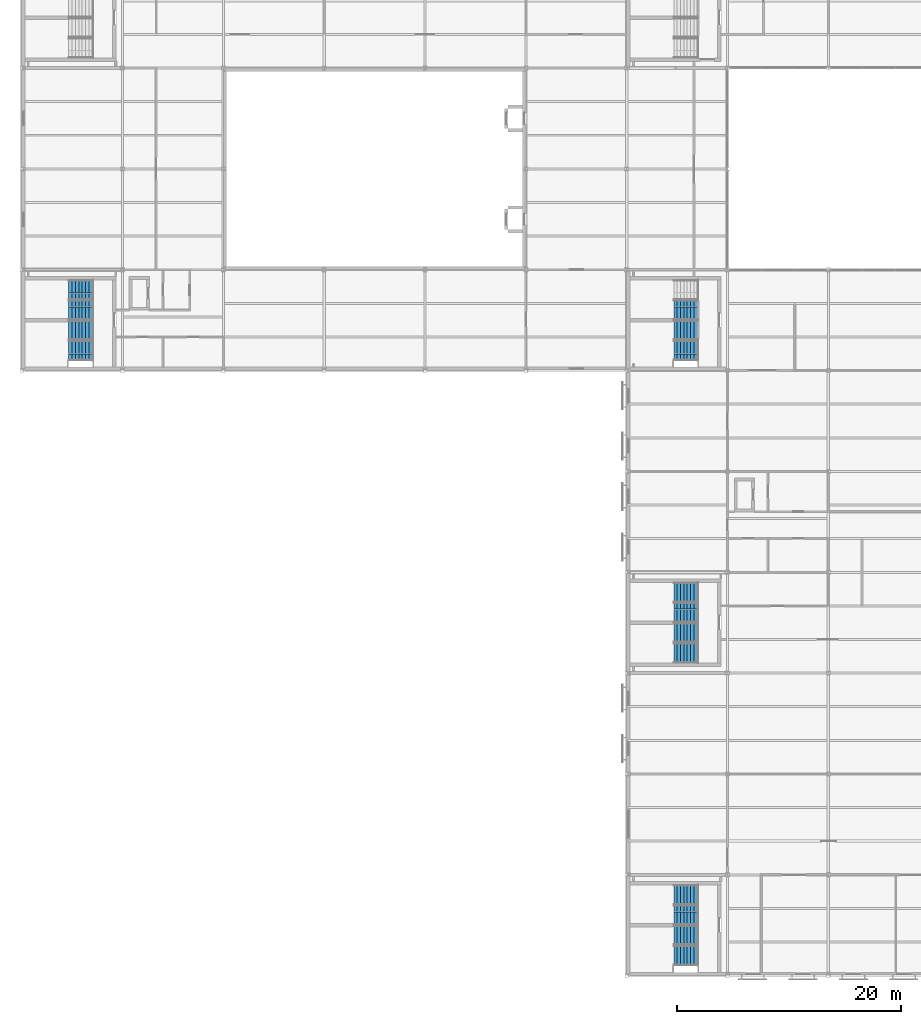
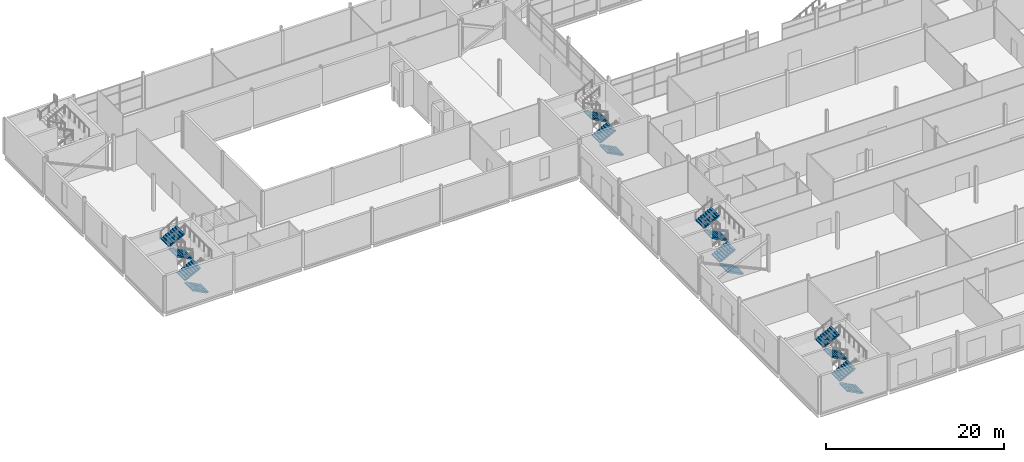
# One storey, part 90 of 112: 15 stair flights, 4 elements without a shape of their own.
"""IFC4 building model written with IfcOpenShell, lengths in metres."""

from ifc_helpers import new_model, si_unit, direction, frame, origin, place, context, subcontext, project, spatial, polyline, outline, extrude, material, type_object, element, aggregate, save


model = new_model("IFC4")

# Units and contexts
model_context = context("Model", 3, precision=1e-05, world=origin(), true_north=direction((0.0, 1.0)))
body_context = subcontext(model_context, "Body", "Model", "MODEL_VIEW")
ifc_project = project(units=[si_unit("LENGTHUNIT", "METRE"), si_unit("AREAUNIT", "SQUARE_METRE"), si_unit("VOLUMEUNIT", "CUBIC_METRE"), si_unit("PLANEANGLEUNIT", "RADIAN"), si_unit("MASSUNIT", "GRAM", prefix="KILO")], contexts=[model_context])

# Site, building, storey
site_placement = place(None, origin())
site = spatial("IfcSite", under=ifc_project, at=site_placement, CompositionType="ELEMENT")
building_placement = place(site_placement, origin())
building = spatial("IfcBuilding", under=site, at=building_placement, Name="Shorebreak Coast Museum", CompositionType="ELEMENT")
storey_placement = place(building_placement, frame((0.0, 0.0, 6.0)))
storey = spatial("IfcBuildingStorey", under=building, at=storey_placement, Name="L01", CompositionType="ELEMENT", Elevation=6.0)

# Stair, stair flights
ifc_material_1 = material(Name="Concrete N40 (40 MPa)", Category="concrete")
stair_type = type_object("IfcStairType", Name="Stair run 5 m", PredefinedType="DOUBLE_RETURN_STAIR", material=ifc_material_1)
stair_1_placement = place(storey_placement, origin())
stair_1 = element("IfcStair", 1, at=stair_1_placement, inside=storey, type_object=stair_type, Name="Exit stair ST01-L01", PredefinedType="DOUBLE_RETURN_STAIR")
ifc_material_2 = material(Name="Concrete N40 (40 MPa)", Category="concrete")
stair_flight_type = type_object("IfcStairFlightType", Name="Stair flight 8 risers 156.25", PredefinedType="STRAIGHT", material=ifc_material_2)
stair_flight_1_placement = place(storey_placement, frame((60.300048828125, 55.800048828125, 0.0), z_axis=(0.0, 0.0, 1.0), x_axis=(-1.0, 0.0, 0.0)))
stair_flight_1 = element("IfcStairFlight", 2, at=stair_flight_1_placement, type_object=stair_flight_type, Name="ST01-L01 flight 1", NumberOfRisers=8, NumberOfTreads=7, PredefinedType="STRAIGHT", RiserHeight=0.15625, TreadLength=0.3, context=body_context, shape_type="SweptSolid", body=[
    extrude(outline(polyline([(0.0, 0.0), (0.0, 0.15625), (0.300048828125, 0.15625), (0.300048828125, 0.3125), (0.60009765625, 0.3125), (0.60009765625, 0.46875), (0.89990234375, 0.46875), (0.89990234375, 0.625), (1.199951171875, 0.625), (1.199951171875, 0.78125), (1.5, 0.78125), (1.5, 0.9375), (1.800048828125, 0.9375), (1.800048828125, 1.09375), (2.10009765625, 1.09375), (2.10009765625, 1.25), (2.10009765625, 0.9248046875), (0.324462890625, 0.0), (0.0, 0.0)])), frame((0.0, 0.89990234375, 0.0), z_axis=(0.0, -1.0, 0.0), x_axis=(1.0, 0.0, 0.0)), (0.0, 0.0, 1.0), 0.59326171875),
    extrude(outline(polyline([(0.0, 0.0), (0.0, 0.15625), (0.300048828125, 0.15625), (0.300048828125, 0.3125), (0.60009765625, 0.3125), (0.60009765625, 0.46875), (0.89990234375, 0.46875), (0.89990234375, 0.625), (1.199951171875, 0.625), (1.199951171875, 0.78125), (1.5, 0.78125), (1.5, 0.9375), (1.800048828125, 0.9375), (1.800048828125, 1.09375), (2.10009765625, 1.09375), (2.10009765625, 1.25), (2.10009765625, 0.9248046875), (0.324462890625, 0.0), (0.0, 0.0)])), frame((0.0, 0.296630859375, 0.0), z_axis=(0.0, -1.0, 0.0), x_axis=(1.0, 0.0, 0.0)), (0.0, 0.0, 1.0), 0.59326171875),
    extrude(outline(polyline([(0.0, 0.0), (0.0, 0.15625), (0.300048828125, 0.15625), (0.300048828125, 0.3125), (0.60009765625, 0.3125), (0.60009765625, 0.46875), (0.89990234375, 0.46875), (0.89990234375, 0.625), (1.199951171875, 0.625), (1.199951171875, 0.78125), (1.5, 0.78125), (1.5, 0.9375), (1.800048828125, 0.9375), (1.800048828125, 1.09375), (2.10009765625, 1.09375), (2.10009765625, 1.25), (2.10009765625, 0.9248046875), (0.324462890625, 0.0), (0.0, 0.0)])), frame((0.0, -0.306640625, 0.0), z_axis=(0.0, -1.0, 0.0), x_axis=(1.0, 0.0, 0.0)), (0.0, 0.0, 1.0), 0.59326171875),
])
stair_flight_2_placement = place(storey_placement, frame((58.199951171875, 57.60009765625, 1.25), z_axis=(0.0, 0.0, 1.0), x_axis=(1.0, 0.0, 0.0)))
stair_flight_2 = element("IfcStairFlight", 3, at=stair_flight_2_placement, type_object=stair_flight_type, Name="ST01-L01 flight 2", NumberOfRisers=8, NumberOfTreads=7, PredefinedType="STRAIGHT", RiserHeight=0.15625, TreadLength=0.3, context=body_context, shape_type="SweptSolid", body=[
    extrude(outline(polyline([(0.0, 0.0), (0.0, 0.15625), (0.300048828125, 0.15625), (0.300048828125, 0.3125), (0.60009765625, 0.3125), (0.60009765625, 0.46875), (0.89990234375, 0.46875), (0.89990234375, 0.625), (1.199951171875, 0.625), (1.199951171875, 0.78125), (1.5, 0.78125), (1.5, 0.9375), (1.800048828125, 0.9375), (1.800048828125, 1.09375), (2.10009765625, 1.09375), (2.10009765625, 1.25), (2.10009765625, 0.9248046875), (0.324462890625, 0.0), (0.0, 0.0)])), frame((0.0, 0.89990234375, 0.0), z_axis=(0.0, -1.0, 0.0), x_axis=(1.0, 0.0, 0.0)), (0.0, 0.0, 1.0), 0.59326171875),
    extrude(outline(polyline([(0.0, 0.0), (0.0, 0.15625), (0.300048828125, 0.15625), (0.300048828125, 0.3125), (0.60009765625, 0.3125), (0.60009765625, 0.46875), (0.89990234375, 0.46875), (0.89990234375, 0.625), (1.199951171875, 0.625), (1.199951171875, 0.78125), (1.5, 0.78125), (1.5, 0.9375), (1.800048828125, 0.9375), (1.800048828125, 1.09375), (2.10009765625, 1.09375), (2.10009765625, 1.25), (2.10009765625, 0.9248046875), (0.324462890625, 0.0), (0.0, 0.0)])), frame((0.0, 0.296630859375, 0.0), z_axis=(0.0, -1.0, 0.0), x_axis=(1.0, 0.0, 0.0)), (0.0, 0.0, 1.0), 0.59326171875),
    extrude(outline(polyline([(0.0, 0.0), (0.0, 0.15625), (0.300048828125, 0.15625), (0.300048828125, 0.3125), (0.60009765625, 0.3125), (0.60009765625, 0.46875), (0.89990234375, 0.46875), (0.89990234375, 0.625), (1.199951171875, 0.625), (1.199951171875, 0.78125), (1.5, 0.78125), (1.5, 0.9375), (1.800048828125, 0.9375), (1.800048828125, 1.09375), (2.10009765625, 1.09375), (2.10009765625, 1.25), (2.10009765625, 0.9248046875), (0.324462890625, 0.0), (0.0, 0.0)])), frame((0.0, -0.306640625, 0.0), z_axis=(0.0, -1.0, 0.0), x_axis=(1.0, 0.0, 0.0)), (0.0, 0.0, 1.0), 0.59326171875),
])
stair_flight_3_placement = place(storey_placement, frame((60.300048828125, 59.39990234375, 2.5), z_axis=(0.0, 0.0, 1.0), x_axis=(-1.0, 0.0, 0.0)))
stair_flight_3 = element("IfcStairFlight", 4, at=stair_flight_3_placement, type_object=stair_flight_type, Name="ST01-L01 flight 3", NumberOfRisers=8, NumberOfTreads=7, PredefinedType="STRAIGHT", RiserHeight=0.15625, TreadLength=0.3, context=body_context, shape_type="SweptSolid", body=[
    extrude(outline(polyline([(0.0, 0.0), (0.0, 0.15625), (0.300048828125, 0.15625), (0.300048828125, 0.3125), (0.60009765625, 0.3125), (0.60009765625, 0.46875), (0.89990234375, 0.46875), (0.89990234375, 0.625), (1.199951171875, 0.625), (1.199951171875, 0.78125), (1.5, 0.78125), (1.5, 0.9375), (1.800048828125, 0.9375), (1.800048828125, 1.09375), (2.10009765625, 1.09375), (2.10009765625, 1.25), (2.10009765625, 0.9248046875), (0.324462890625, 0.0), (0.0, 0.0)])), frame((0.0, 0.89990234375, 0.0), z_axis=(0.0, -1.0, 0.0), x_axis=(1.0, 0.0, 0.0)), (0.0, 0.0, 1.0), 0.59326171875),
    extrude(outline(polyline([(0.0, 0.0), (0.0, 0.15625), (0.300048828125, 0.15625), (0.300048828125, 0.3125), (0.60009765625, 0.3125), (0.60009765625, 0.46875), (0.89990234375, 0.46875), (0.89990234375, 0.625), (1.199951171875, 0.625), (1.199951171875, 0.78125), (1.5, 0.78125), (1.5, 0.9375), (1.800048828125, 0.9375), (1.800048828125, 1.09375), (2.10009765625, 1.09375), (2.10009765625, 1.25), (2.10009765625, 0.9248046875), (0.324462890625, 0.0), (0.0, 0.0)])), frame((0.0, 0.296630859375, 0.0), z_axis=(0.0, -1.0, 0.0), x_axis=(1.0, 0.0, 0.0)), (0.0, 0.0, 1.0), 0.59326171875),
    extrude(outline(polyline([(0.0, 0.0), (0.0, 0.15625), (0.300048828125, 0.15625), (0.300048828125, 0.3125), (0.60009765625, 0.3125), (0.60009765625, 0.46875), (0.89990234375, 0.46875), (0.89990234375, 0.625), (1.199951171875, 0.625), (1.199951171875, 0.78125), (1.5, 0.78125), (1.5, 0.9375), (1.800048828125, 0.9375), (1.800048828125, 1.09375), (2.10009765625, 1.09375), (2.10009765625, 1.25), (2.10009765625, 0.9248046875), (0.324462890625, 0.0), (0.0, 0.0)])), frame((0.0, -0.306640625, 0.0), z_axis=(0.0, -1.0, 0.0), x_axis=(1.0, 0.0, 0.0)), (0.0, 0.0, 1.0), 0.59326171875),
])
aggregate(stair_1, [stair_flight_1, stair_flight_2, stair_flight_3])

stair_2_placement = place(storey_placement, origin())
stair_2 = element("IfcStair", 5, at=stair_2_placement, inside=storey, type_object=stair_type, Name="Exit stair ST05-L01", PredefinedType="DOUBLE_RETURN_STAIR")
stair_flight_4_placement = place(storey_placement, frame((6.300048828125, 55.800048828125, 0.0), z_axis=(0.0, 0.0, 1.0), x_axis=(-1.0, 0.0, 0.0)))
stair_flight_4 = element("IfcStairFlight", 6, at=stair_flight_4_placement, type_object=stair_flight_type, Name="ST05-L01 flight 1", NumberOfRisers=8, NumberOfTreads=7, PredefinedType="STRAIGHT", RiserHeight=0.15625, TreadLength=0.3, context=body_context, shape_type="SweptSolid", body=[
    extrude(outline(polyline([(0.0, 0.0), (0.0, 0.15625), (0.300048828125, 0.15625), (0.300048828125, 0.3125), (0.60009765625, 0.3125), (0.60009765625, 0.46875), (0.89990234375, 0.46875), (0.89990234375, 0.625), (1.199951171875, 0.625), (1.199951171875, 0.78125), (1.5, 0.78125), (1.5, 0.9375), (1.800048828125, 0.9375), (1.800048828125, 1.09375), (2.10009765625, 1.09375), (2.10009765625, 1.25), (2.10009765625, 0.9248046875), (0.324462890625, 0.0), (0.0, 0.0)])), frame((0.0, 0.89990234375, 0.0), z_axis=(0.0, -1.0, 0.0), x_axis=(1.0, 0.0, 0.0)), (0.0, 0.0, 1.0), 0.59326171875),
    extrude(outline(polyline([(0.0, 0.0), (0.0, 0.15625), (0.300048828125, 0.15625), (0.300048828125, 0.3125), (0.60009765625, 0.3125), (0.60009765625, 0.46875), (0.89990234375, 0.46875), (0.89990234375, 0.625), (1.199951171875, 0.625), (1.199951171875, 0.78125), (1.5, 0.78125), (1.5, 0.9375), (1.800048828125, 0.9375), (1.800048828125, 1.09375), (2.10009765625, 1.09375), (2.10009765625, 1.25), (2.10009765625, 0.9248046875), (0.324462890625, 0.0), (0.0, 0.0)])), frame((0.0, 0.296630859375, 0.0), z_axis=(0.0, -1.0, 0.0), x_axis=(1.0, 0.0, 0.0)), (0.0, 0.0, 1.0), 0.59326171875),
    extrude(outline(polyline([(0.0, 0.0), (0.0, 0.15625), (0.300048828125, 0.15625), (0.300048828125, 0.3125), (0.60009765625, 0.3125), (0.60009765625, 0.46875), (0.89990234375, 0.46875), (0.89990234375, 0.625), (1.199951171875, 0.625), (1.199951171875, 0.78125), (1.5, 0.78125), (1.5, 0.9375), (1.800048828125, 0.9375), (1.800048828125, 1.09375), (2.10009765625, 1.09375), (2.10009765625, 1.25), (2.10009765625, 0.9248046875), (0.324462890625, 0.0), (0.0, 0.0)])), frame((0.0, -0.306640625, 0.0), z_axis=(0.0, -1.0, 0.0), x_axis=(1.0, 0.0, 0.0)), (0.0, 0.0, 1.0), 0.59326171875),
])
stair_flight_5_placement = place(storey_placement, frame((4.199951171875, 57.60009765625, 1.25), z_axis=(0.0, 0.0, 1.0), x_axis=(1.0, 0.0, 0.0)))
stair_flight_5 = element("IfcStairFlight", 7, at=stair_flight_5_placement, type_object=stair_flight_type, Name="ST05-L01 flight 2", NumberOfRisers=8, NumberOfTreads=7, PredefinedType="STRAIGHT", RiserHeight=0.15625, TreadLength=0.3, context=body_context, shape_type="SweptSolid", body=[
    extrude(outline(polyline([(0.0, 0.0), (0.0, 0.15625), (0.300048828125, 0.15625), (0.300048828125, 0.3125), (0.60009765625, 0.3125), (0.60009765625, 0.46875), (0.89990234375, 0.46875), (0.89990234375, 0.625), (1.199951171875, 0.625), (1.199951171875, 0.78125), (1.5, 0.78125), (1.5, 0.9375), (1.800048828125, 0.9375), (1.800048828125, 1.09375), (2.10009765625, 1.09375), (2.10009765625, 1.25), (2.10009765625, 0.9248046875), (0.324462890625, 0.0), (0.0, 0.0)])), frame((0.0, 0.89990234375, 0.0), z_axis=(0.0, -1.0, 0.0), x_axis=(1.0, 0.0, 0.0)), (0.0, 0.0, 1.0), 0.59326171875),
    extrude(outline(polyline([(0.0, 0.0), (0.0, 0.15625), (0.300048828125, 0.15625), (0.300048828125, 0.3125), (0.60009765625, 0.3125), (0.60009765625, 0.46875), (0.89990234375, 0.46875), (0.89990234375, 0.625), (1.199951171875, 0.625), (1.199951171875, 0.78125), (1.5, 0.78125), (1.5, 0.9375), (1.800048828125, 0.9375), (1.800048828125, 1.09375), (2.10009765625, 1.09375), (2.10009765625, 1.25), (2.10009765625, 0.9248046875), (0.324462890625, 0.0), (0.0, 0.0)])), frame((0.0, 0.296630859375, 0.0), z_axis=(0.0, -1.0, 0.0), x_axis=(1.0, 0.0, 0.0)), (0.0, 0.0, 1.0), 0.59326171875),
    extrude(outline(polyline([(0.0, 0.0), (0.0, 0.15625), (0.300048828125, 0.15625), (0.300048828125, 0.3125), (0.60009765625, 0.3125), (0.60009765625, 0.46875), (0.89990234375, 0.46875), (0.89990234375, 0.625), (1.199951171875, 0.625), (1.199951171875, 0.78125), (1.5, 0.78125), (1.5, 0.9375), (1.800048828125, 0.9375), (1.800048828125, 1.09375), (2.10009765625, 1.09375), (2.10009765625, 1.25), (2.10009765625, 0.9248046875), (0.324462890625, 0.0), (0.0, 0.0)])), frame((0.0, -0.306640625, 0.0), z_axis=(0.0, -1.0, 0.0), x_axis=(1.0, 0.0, 0.0)), (0.0, 0.0, 1.0), 0.59326171875),
])
stair_flight_6_placement = place(storey_placement, frame((6.300048828125, 59.39990234375, 2.5), z_axis=(0.0, 0.0, 1.0), x_axis=(-1.0, 0.0, 0.0)))
stair_flight_6 = element("IfcStairFlight", 8, at=stair_flight_6_placement, type_object=stair_flight_type, Name="ST05-L01 flight 3", NumberOfRisers=8, NumberOfTreads=7, PredefinedType="STRAIGHT", RiserHeight=0.15625, TreadLength=0.3, context=body_context, shape_type="SweptSolid", body=[
    extrude(outline(polyline([(0.0, 0.0), (0.0, 0.15625), (0.300048828125, 0.15625), (0.300048828125, 0.3125), (0.60009765625, 0.3125), (0.60009765625, 0.46875), (0.89990234375, 0.46875), (0.89990234375, 0.625), (1.199951171875, 0.625), (1.199951171875, 0.78125), (1.5, 0.78125), (1.5, 0.9375), (1.800048828125, 0.9375), (1.800048828125, 1.09375), (2.10009765625, 1.09375), (2.10009765625, 1.25), (2.10009765625, 0.9248046875), (0.324462890625, 0.0), (0.0, 0.0)])), frame((0.0, 0.89990234375, 0.0), z_axis=(0.0, -1.0, 0.0), x_axis=(1.0, 0.0, 0.0)), (0.0, 0.0, 1.0), 0.59326171875),
    extrude(outline(polyline([(0.0, 0.0), (0.0, 0.15625), (0.300048828125, 0.15625), (0.300048828125, 0.3125), (0.60009765625, 0.3125), (0.60009765625, 0.46875), (0.89990234375, 0.46875), (0.89990234375, 0.625), (1.199951171875, 0.625), (1.199951171875, 0.78125), (1.5, 0.78125), (1.5, 0.9375), (1.800048828125, 0.9375), (1.800048828125, 1.09375), (2.10009765625, 1.09375), (2.10009765625, 1.25), (2.10009765625, 0.9248046875), (0.324462890625, 0.0), (0.0, 0.0)])), frame((0.0, 0.296630859375, 0.0), z_axis=(0.0, -1.0, 0.0), x_axis=(1.0, 0.0, 0.0)), (0.0, 0.0, 1.0), 0.59326171875),
    extrude(outline(polyline([(0.0, 0.0), (0.0, 0.15625), (0.300048828125, 0.15625), (0.300048828125, 0.3125), (0.60009765625, 0.3125), (0.60009765625, 0.46875), (0.89990234375, 0.46875), (0.89990234375, 0.625), (1.199951171875, 0.625), (1.199951171875, 0.78125), (1.5, 0.78125), (1.5, 0.9375), (1.800048828125, 0.9375), (1.800048828125, 1.09375), (2.10009765625, 1.09375), (2.10009765625, 1.25), (2.10009765625, 0.9248046875), (0.324462890625, 0.0), (0.0, 0.0)])), frame((0.0, -0.306640625, 0.0), z_axis=(0.0, -1.0, 0.0), x_axis=(1.0, 0.0, 0.0)), (0.0, 0.0, 1.0), 0.59326171875),
])
stair_flight_7_placement = place(storey_placement, frame((4.199951171875, 61.199951171875, 3.75), z_axis=(0.0, 0.0, 1.0), x_axis=(1.0, 0.0, 0.0)))
stair_flight_7 = element("IfcStairFlight", 9, at=stair_flight_7_placement, type_object=stair_flight_type, Name="ST05-L01 flight 4", NumberOfRisers=8, NumberOfTreads=7, PredefinedType="STRAIGHT", RiserHeight=0.15625, TreadLength=0.3, context=body_context, shape_type="SweptSolid", body=[
    extrude(outline(polyline([(0.0, 0.0), (0.0, 0.15625), (0.300048828125, 0.15625), (0.300048828125, 0.3125), (0.60009765625, 0.3125), (0.60009765625, 0.46875), (0.89990234375, 0.46875), (0.89990234375, 0.625), (1.199951171875, 0.625), (1.199951171875, 0.78125), (1.5, 0.78125), (1.5, 0.9375), (1.800048828125, 0.9375), (1.800048828125, 1.09375), (2.10009765625, 1.09375), (2.10009765625, 1.25), (2.10009765625, 0.9248046875), (0.324462890625, 0.0), (0.0, 0.0)])), frame((0.0, 0.89990234375, 0.0), z_axis=(0.0, -1.0, 0.0), x_axis=(1.0, 0.0, 0.0)), (0.0, 0.0, 1.0), 0.59326171875),
    extrude(outline(polyline([(0.0, 0.0), (0.0, 0.15625), (0.300048828125, 0.15625), (0.300048828125, 0.3125), (0.60009765625, 0.3125), (0.60009765625, 0.46875), (0.89990234375, 0.46875), (0.89990234375, 0.625), (1.199951171875, 0.625), (1.199951171875, 0.78125), (1.5, 0.78125), (1.5, 0.9375), (1.800048828125, 0.9375), (1.800048828125, 1.09375), (2.10009765625, 1.09375), (2.10009765625, 1.25), (2.10009765625, 0.9248046875), (0.324462890625, 0.0), (0.0, 0.0)])), frame((0.0, 0.296630859375, 0.0), z_axis=(0.0, -1.0, 0.0), x_axis=(1.0, 0.0, 0.0)), (0.0, 0.0, 1.0), 0.59326171875),
    extrude(outline(polyline([(0.0, 0.0), (0.0, 0.15625), (0.300048828125, 0.15625), (0.300048828125, 0.3125), (0.60009765625, 0.3125), (0.60009765625, 0.46875), (0.89990234375, 0.46875), (0.89990234375, 0.625), (1.199951171875, 0.625), (1.199951171875, 0.78125), (1.5, 0.78125), (1.5, 0.9375), (1.800048828125, 0.9375), (1.800048828125, 1.09375), (2.10009765625, 1.09375), (2.10009765625, 1.25), (2.10009765625, 0.9248046875), (0.324462890625, 0.0), (0.0, 0.0)])), frame((0.0, -0.306640625, 0.0), z_axis=(0.0, -1.0, 0.0), x_axis=(1.0, 0.0, 0.0)), (0.0, 0.0, 1.0), 0.59326171875),
])
aggregate(stair_2, [stair_flight_4, stair_flight_5, stair_flight_6, stair_flight_7])

stair_3_placement = place(storey_placement, origin())
stair_3 = element("IfcStair", 10, at=stair_3_placement, inside=storey, type_object=stair_type, Name="Exit stair ST11-L01", PredefinedType="DOUBLE_RETURN_STAIR")
stair_flight_8_placement = place(storey_placement, frame((60.300048828125, 1.800048828125, 0.0), z_axis=(0.0, 0.0, 1.0), x_axis=(-1.0, 0.0, 0.0)))
stair_flight_8 = element("IfcStairFlight", 11, at=stair_flight_8_placement, type_object=stair_flight_type, Name="ST11-L01 flight 1", NumberOfRisers=8, NumberOfTreads=7, PredefinedType="STRAIGHT", RiserHeight=0.15625, TreadLength=0.3, context=body_context, shape_type="SweptSolid", body=[
    extrude(outline(polyline([(0.0, 0.0), (0.0, 0.15625), (0.300048828125, 0.15625), (0.300048828125, 0.3125), (0.60009765625, 0.3125), (0.60009765625, 0.46875), (0.89990234375, 0.46875), (0.89990234375, 0.625), (1.199951171875, 0.625), (1.199951171875, 0.78125), (1.5, 0.78125), (1.5, 0.9375), (1.800048828125, 0.9375), (1.800048828125, 1.09375), (2.10009765625, 1.09375), (2.10009765625, 1.25), (2.10009765625, 0.9248046875), (0.324462890625, 0.0), (0.0, 0.0)])), frame((0.0, 0.89990234375, 0.0), z_axis=(0.0, -1.0, 0.0), x_axis=(1.0, 0.0, 0.0)), (0.0, 0.0, 1.0), 0.59326171875),
    extrude(outline(polyline([(0.0, 0.0), (0.0, 0.15625), (0.300048828125, 0.15625), (0.300048828125, 0.3125), (0.60009765625, 0.3125), (0.60009765625, 0.46875), (0.89990234375, 0.46875), (0.89990234375, 0.625), (1.199951171875, 0.625), (1.199951171875, 0.78125), (1.5, 0.78125), (1.5, 0.9375), (1.800048828125, 0.9375), (1.800048828125, 1.09375), (2.10009765625, 1.09375), (2.10009765625, 1.25), (2.10009765625, 0.9248046875), (0.324462890625, 0.0), (0.0, 0.0)])), frame((0.0, 0.296630859375, 0.0), z_axis=(0.0, -1.0, 0.0), x_axis=(1.0, 0.0, 0.0)), (0.0, 0.0, 1.0), 0.59326171875),
    extrude(outline(polyline([(0.0, 0.0), (0.0, 0.15625), (0.300048828125, 0.15625), (0.300048828125, 0.3125), (0.60009765625, 0.3125), (0.60009765625, 0.46875), (0.89990234375, 0.46875), (0.89990234375, 0.625), (1.199951171875, 0.625), (1.199951171875, 0.78125), (1.5, 0.78125), (1.5, 0.9375), (1.800048828125, 0.9375), (1.800048828125, 1.09375), (2.10009765625, 1.09375), (2.10009765625, 1.25), (2.10009765625, 0.9248046875), (0.324462890625, 0.0), (0.0, 0.0)])), frame((0.0, -0.306640625, 0.0), z_axis=(0.0, -1.0, 0.0), x_axis=(1.0, 0.0, 0.0)), (0.0, 0.0, 1.0), 0.59326171875),
])
stair_flight_9_placement = place(storey_placement, frame((58.199951171875, 3.60009765625, 1.25), z_axis=(0.0, 0.0, 1.0), x_axis=(1.0, 0.0, 0.0)))
stair_flight_9 = element("IfcStairFlight", 12, at=stair_flight_9_placement, type_object=stair_flight_type, Name="ST11-L01 flight 2", NumberOfRisers=8, NumberOfTreads=7, PredefinedType="STRAIGHT", RiserHeight=0.15625, TreadLength=0.3, context=body_context, shape_type="SweptSolid", body=[
    extrude(outline(polyline([(0.0, 0.0), (0.0, 0.15625), (0.300048828125, 0.15625), (0.300048828125, 0.3125), (0.60009765625, 0.3125), (0.60009765625, 0.46875), (0.89990234375, 0.46875), (0.89990234375, 0.625), (1.199951171875, 0.625), (1.199951171875, 0.78125), (1.5, 0.78125), (1.5, 0.9375), (1.800048828125, 0.9375), (1.800048828125, 1.09375), (2.10009765625, 1.09375), (2.10009765625, 1.25), (2.10009765625, 0.9248046875), (0.324462890625, 0.0), (0.0, 0.0)])), frame((0.0, 0.89990234375, 0.0), z_axis=(0.0, -1.0, 0.0), x_axis=(1.0, 0.0, 0.0)), (0.0, 0.0, 1.0), 0.59326171875),
    extrude(outline(polyline([(0.0, 0.0), (0.0, 0.15625), (0.300048828125, 0.15625), (0.300048828125, 0.3125), (0.60009765625, 0.3125), (0.60009765625, 0.46875), (0.89990234375, 0.46875), (0.89990234375, 0.625), (1.199951171875, 0.625), (1.199951171875, 0.78125), (1.5, 0.78125), (1.5, 0.9375), (1.800048828125, 0.9375), (1.800048828125, 1.09375), (2.10009765625, 1.09375), (2.10009765625, 1.25), (2.10009765625, 0.9248046875), (0.324462890625, 0.0), (0.0, 0.0)])), frame((0.0, 0.296630859375, 0.0), z_axis=(0.0, -1.0, 0.0), x_axis=(1.0, 0.0, 0.0)), (0.0, 0.0, 1.0), 0.59326171875),
    extrude(outline(polyline([(0.0, 0.0), (0.0, 0.15625), (0.300048828125, 0.15625), (0.300048828125, 0.3125), (0.60009765625, 0.3125), (0.60009765625, 0.46875), (0.89990234375, 0.46875), (0.89990234375, 0.625), (1.199951171875, 0.625), (1.199951171875, 0.78125), (1.5, 0.78125), (1.5, 0.9375), (1.800048828125, 0.9375), (1.800048828125, 1.09375), (2.10009765625, 1.09375), (2.10009765625, 1.25), (2.10009765625, 0.9248046875), (0.324462890625, 0.0), (0.0, 0.0)])), frame((0.0, -0.306640625, 0.0), z_axis=(0.0, -1.0, 0.0), x_axis=(1.0, 0.0, 0.0)), (0.0, 0.0, 1.0), 0.59326171875),
])
stair_flight_10_placement = place(storey_placement, frame((60.300048828125, 5.39990234375, 2.5), z_axis=(0.0, 0.0, 1.0), x_axis=(-1.0, 0.0, 0.0)))
stair_flight_10 = element("IfcStairFlight", 13, at=stair_flight_10_placement, type_object=stair_flight_type, Name="ST11-L01 flight 3", NumberOfRisers=8, NumberOfTreads=7, PredefinedType="STRAIGHT", RiserHeight=0.15625, TreadLength=0.3, context=body_context, shape_type="SweptSolid", body=[
    extrude(outline(polyline([(0.0, 0.0), (0.0, 0.15625), (0.300048828125, 0.15625), (0.300048828125, 0.3125), (0.60009765625, 0.3125), (0.60009765625, 0.46875), (0.89990234375, 0.46875), (0.89990234375, 0.625), (1.199951171875, 0.625), (1.199951171875, 0.78125), (1.5, 0.78125), (1.5, 0.9375), (1.800048828125, 0.9375), (1.800048828125, 1.09375), (2.10009765625, 1.09375), (2.10009765625, 1.25), (2.10009765625, 0.9248046875), (0.324462890625, 0.0), (0.0, 0.0)])), frame((0.0, 0.89990234375, 0.0), z_axis=(0.0, -1.0, 0.0), x_axis=(1.0, 0.0, 0.0)), (0.0, 0.0, 1.0), 0.59326171875),
    extrude(outline(polyline([(0.0, 0.0), (0.0, 0.15625), (0.300048828125, 0.15625), (0.300048828125, 0.3125), (0.60009765625, 0.3125), (0.60009765625, 0.46875), (0.89990234375, 0.46875), (0.89990234375, 0.625), (1.199951171875, 0.625), (1.199951171875, 0.78125), (1.5, 0.78125), (1.5, 0.9375), (1.800048828125, 0.9375), (1.800048828125, 1.09375), (2.10009765625, 1.09375), (2.10009765625, 1.25), (2.10009765625, 0.9248046875), (0.324462890625, 0.0), (0.0, 0.0)])), frame((0.0, 0.296630859375, 0.0), z_axis=(0.0, -1.0, 0.0), x_axis=(1.0, 0.0, 0.0)), (0.0, 0.0, 1.0), 0.59326171875),
    extrude(outline(polyline([(0.0, 0.0), (0.0, 0.15625), (0.300048828125, 0.15625), (0.300048828125, 0.3125), (0.60009765625, 0.3125), (0.60009765625, 0.46875), (0.89990234375, 0.46875), (0.89990234375, 0.625), (1.199951171875, 0.625), (1.199951171875, 0.78125), (1.5, 0.78125), (1.5, 0.9375), (1.800048828125, 0.9375), (1.800048828125, 1.09375), (2.10009765625, 1.09375), (2.10009765625, 1.25), (2.10009765625, 0.9248046875), (0.324462890625, 0.0), (0.0, 0.0)])), frame((0.0, -0.306640625, 0.0), z_axis=(0.0, -1.0, 0.0), x_axis=(1.0, 0.0, 0.0)), (0.0, 0.0, 1.0), 0.59326171875),
])
stair_flight_11_placement = place(storey_placement, frame((58.199951171875, 7.199951171875, 3.75), z_axis=(0.0, 0.0, 1.0), x_axis=(1.0, 0.0, 0.0)))
stair_flight_11 = element("IfcStairFlight", 14, at=stair_flight_11_placement, type_object=stair_flight_type, Name="ST11-L01 flight 4", NumberOfRisers=8, NumberOfTreads=7, PredefinedType="STRAIGHT", RiserHeight=0.15625, TreadLength=0.3, context=body_context, shape_type="SweptSolid", body=[
    extrude(outline(polyline([(0.0, 0.0), (0.0, 0.15625), (0.300048828125, 0.15625), (0.300048828125, 0.3125), (0.60009765625, 0.3125), (0.60009765625, 0.46875), (0.89990234375, 0.46875), (0.89990234375, 0.625), (1.199951171875, 0.625), (1.199951171875, 0.78125), (1.5, 0.78125), (1.5, 0.9375), (1.800048828125, 0.9375), (1.800048828125, 1.09375), (2.10009765625, 1.09375), (2.10009765625, 1.25), (2.10009765625, 0.9248046875), (0.324462890625, 0.0), (0.0, 0.0)])), frame((0.0, 0.89990234375, 0.0), z_axis=(0.0, -1.0, 0.0), x_axis=(1.0, 0.0, 0.0)), (0.0, 0.0, 1.0), 0.59326171875),
    extrude(outline(polyline([(0.0, 0.0), (0.0, 0.15625), (0.300048828125, 0.15625), (0.300048828125, 0.3125), (0.60009765625, 0.3125), (0.60009765625, 0.46875), (0.89990234375, 0.46875), (0.89990234375, 0.625), (1.199951171875, 0.625), (1.199951171875, 0.78125), (1.5, 0.78125), (1.5, 0.9375), (1.800048828125, 0.9375), (1.800048828125, 1.09375), (2.10009765625, 1.09375), (2.10009765625, 1.25), (2.10009765625, 0.9248046875), (0.324462890625, 0.0), (0.0, 0.0)])), frame((0.0, 0.296630859375, 0.0), z_axis=(0.0, -1.0, 0.0), x_axis=(1.0, 0.0, 0.0)), (0.0, 0.0, 1.0), 0.59326171875),
    extrude(outline(polyline([(0.0, 0.0), (0.0, 0.15625), (0.300048828125, 0.15625), (0.300048828125, 0.3125), (0.60009765625, 0.3125), (0.60009765625, 0.46875), (0.89990234375, 0.46875), (0.89990234375, 0.625), (1.199951171875, 0.625), (1.199951171875, 0.78125), (1.5, 0.78125), (1.5, 0.9375), (1.800048828125, 0.9375), (1.800048828125, 1.09375), (2.10009765625, 1.09375), (2.10009765625, 1.25), (2.10009765625, 0.9248046875), (0.324462890625, 0.0), (0.0, 0.0)])), frame((0.0, -0.306640625, 0.0), z_axis=(0.0, -1.0, 0.0), x_axis=(1.0, 0.0, 0.0)), (0.0, 0.0, 1.0), 0.59326171875),
])
aggregate(stair_3, [stair_flight_8, stair_flight_9, stair_flight_10, stair_flight_11])

stair_4_placement = place(storey_placement, origin())
stair_4 = element("IfcStair", 15, at=stair_4_placement, inside=storey, type_object=stair_type, Name="Exit stair ST13-L01", PredefinedType="DOUBLE_RETURN_STAIR")
stair_flight_12_placement = place(storey_placement, frame((60.300048828125, 28.800048828125, 0.0), z_axis=(0.0, 0.0, 1.0), x_axis=(-1.0, 0.0, 0.0)))
stair_flight_12 = element("IfcStairFlight", 16, at=stair_flight_12_placement, type_object=stair_flight_type, Name="ST13-L01 flight 1", NumberOfRisers=8, NumberOfTreads=7, PredefinedType="STRAIGHT", RiserHeight=0.15625, TreadLength=0.3, context=body_context, shape_type="SweptSolid", body=[
    extrude(outline(polyline([(0.0, 0.0), (0.0, 0.15625), (0.300048828125, 0.15625), (0.300048828125, 0.3125), (0.60009765625, 0.3125), (0.60009765625, 0.46875), (0.89990234375, 0.46875), (0.89990234375, 0.625), (1.199951171875, 0.625), (1.199951171875, 0.78125), (1.5, 0.78125), (1.5, 0.9375), (1.800048828125, 0.9375), (1.800048828125, 1.09375), (2.10009765625, 1.09375), (2.10009765625, 1.25), (2.10009765625, 0.9248046875), (0.324462890625, 0.0), (0.0, 0.0)])), frame((0.0, 0.89990234375, 0.0), z_axis=(0.0, -1.0, 0.0), x_axis=(1.0, 0.0, 0.0)), (0.0, 0.0, 1.0), 0.59326171875),
    extrude(outline(polyline([(0.0, 0.0), (0.0, 0.15625), (0.300048828125, 0.15625), (0.300048828125, 0.3125), (0.60009765625, 0.3125), (0.60009765625, 0.46875), (0.89990234375, 0.46875), (0.89990234375, 0.625), (1.199951171875, 0.625), (1.199951171875, 0.78125), (1.5, 0.78125), (1.5, 0.9375), (1.800048828125, 0.9375), (1.800048828125, 1.09375), (2.10009765625, 1.09375), (2.10009765625, 1.25), (2.10009765625, 0.9248046875), (0.324462890625, 0.0), (0.0, 0.0)])), frame((0.0, 0.296630859375, 0.0), z_axis=(0.0, -1.0, 0.0), x_axis=(1.0, 0.0, 0.0)), (0.0, 0.0, 1.0), 0.59326171875),
    extrude(outline(polyline([(0.0, 0.0), (0.0, 0.15625), (0.300048828125, 0.15625), (0.300048828125, 0.3125), (0.60009765625, 0.3125), (0.60009765625, 0.46875), (0.89990234375, 0.46875), (0.89990234375, 0.625), (1.199951171875, 0.625), (1.199951171875, 0.78125), (1.5, 0.78125), (1.5, 0.9375), (1.800048828125, 0.9375), (1.800048828125, 1.09375), (2.10009765625, 1.09375), (2.10009765625, 1.25), (2.10009765625, 0.9248046875), (0.324462890625, 0.0), (0.0, 0.0)])), frame((0.0, -0.306640625, 0.0), z_axis=(0.0, -1.0, 0.0), x_axis=(1.0, 0.0, 0.0)), (0.0, 0.0, 1.0), 0.59326171875),
])
stair_flight_13_placement = place(storey_placement, frame((58.199951171875, 30.60009765625, 1.25), z_axis=(0.0, 0.0, 1.0), x_axis=(1.0, 0.0, 0.0)))
stair_flight_13 = element("IfcStairFlight", 17, at=stair_flight_13_placement, type_object=stair_flight_type, Name="ST13-L01 flight 2", NumberOfRisers=8, NumberOfTreads=7, PredefinedType="STRAIGHT", RiserHeight=0.15625, TreadLength=0.3, context=body_context, shape_type="SweptSolid", body=[
    extrude(outline(polyline([(0.0, 0.0), (0.0, 0.15625), (0.300048828125, 0.15625), (0.300048828125, 0.3125), (0.60009765625, 0.3125), (0.60009765625, 0.46875), (0.89990234375, 0.46875), (0.89990234375, 0.625), (1.199951171875, 0.625), (1.199951171875, 0.78125), (1.5, 0.78125), (1.5, 0.9375), (1.800048828125, 0.9375), (1.800048828125, 1.09375), (2.10009765625, 1.09375), (2.10009765625, 1.25), (2.10009765625, 0.9248046875), (0.324462890625, 0.0), (0.0, 0.0)])), frame((0.0, 0.89990234375, 0.0), z_axis=(0.0, -1.0, 0.0), x_axis=(1.0, 0.0, 0.0)), (0.0, 0.0, 1.0), 0.59326171875),
    extrude(outline(polyline([(0.0, 0.0), (0.0, 0.15625), (0.300048828125, 0.15625), (0.300048828125, 0.3125), (0.60009765625, 0.3125), (0.60009765625, 0.46875), (0.89990234375, 0.46875), (0.89990234375, 0.625), (1.199951171875, 0.625), (1.199951171875, 0.78125), (1.5, 0.78125), (1.5, 0.9375), (1.800048828125, 0.9375), (1.800048828125, 1.09375), (2.10009765625, 1.09375), (2.10009765625, 1.25), (2.10009765625, 0.9248046875), (0.324462890625, 0.0), (0.0, 0.0)])), frame((0.0, 0.296630859375, 0.0), z_axis=(0.0, -1.0, 0.0), x_axis=(1.0, 0.0, 0.0)), (0.0, 0.0, 1.0), 0.59326171875),
    extrude(outline(polyline([(0.0, 0.0), (0.0, 0.15625), (0.300048828125, 0.15625), (0.300048828125, 0.3125), (0.60009765625, 0.3125), (0.60009765625, 0.46875), (0.89990234375, 0.46875), (0.89990234375, 0.625), (1.199951171875, 0.625), (1.199951171875, 0.78125), (1.5, 0.78125), (1.5, 0.9375), (1.800048828125, 0.9375), (1.800048828125, 1.09375), (2.10009765625, 1.09375), (2.10009765625, 1.25), (2.10009765625, 0.9248046875), (0.324462890625, 0.0), (0.0, 0.0)])), frame((0.0, -0.306640625, 0.0), z_axis=(0.0, -1.0, 0.0), x_axis=(1.0, 0.0, 0.0)), (0.0, 0.0, 1.0), 0.59326171875),
])
stair_flight_14_placement = place(storey_placement, frame((60.300048828125, 32.39990234375, 2.5), z_axis=(0.0, 0.0, 1.0), x_axis=(-1.0, 0.0, 0.0)))
stair_flight_14 = element("IfcStairFlight", 18, at=stair_flight_14_placement, type_object=stair_flight_type, Name="ST13-L01 flight 3", NumberOfRisers=8, NumberOfTreads=7, PredefinedType="STRAIGHT", RiserHeight=0.15625, TreadLength=0.3, context=body_context, shape_type="SweptSolid", body=[
    extrude(outline(polyline([(0.0, 0.0), (0.0, 0.15625), (0.300048828125, 0.15625), (0.300048828125, 0.3125), (0.60009765625, 0.3125), (0.60009765625, 0.46875), (0.89990234375, 0.46875), (0.89990234375, 0.625), (1.199951171875, 0.625), (1.199951171875, 0.78125), (1.5, 0.78125), (1.5, 0.9375), (1.800048828125, 0.9375), (1.800048828125, 1.09375), (2.10009765625, 1.09375), (2.10009765625, 1.25), (2.10009765625, 0.9248046875), (0.324462890625, 0.0), (0.0, 0.0)])), frame((0.0, 0.89990234375, 0.0), z_axis=(0.0, -1.0, 0.0), x_axis=(1.0, 0.0, 0.0)), (0.0, 0.0, 1.0), 0.59326171875),
    extrude(outline(polyline([(0.0, 0.0), (0.0, 0.15625), (0.300048828125, 0.15625), (0.300048828125, 0.3125), (0.60009765625, 0.3125), (0.60009765625, 0.46875), (0.89990234375, 0.46875), (0.89990234375, 0.625), (1.199951171875, 0.625), (1.199951171875, 0.78125), (1.5, 0.78125), (1.5, 0.9375), (1.800048828125, 0.9375), (1.800048828125, 1.09375), (2.10009765625, 1.09375), (2.10009765625, 1.25), (2.10009765625, 0.9248046875), (0.324462890625, 0.0), (0.0, 0.0)])), frame((0.0, 0.296630859375, 0.0), z_axis=(0.0, -1.0, 0.0), x_axis=(1.0, 0.0, 0.0)), (0.0, 0.0, 1.0), 0.59326171875),
    extrude(outline(polyline([(0.0, 0.0), (0.0, 0.15625), (0.300048828125, 0.15625), (0.300048828125, 0.3125), (0.60009765625, 0.3125), (0.60009765625, 0.46875), (0.89990234375, 0.46875), (0.89990234375, 0.625), (1.199951171875, 0.625), (1.199951171875, 0.78125), (1.5, 0.78125), (1.5, 0.9375), (1.800048828125, 0.9375), (1.800048828125, 1.09375), (2.10009765625, 1.09375), (2.10009765625, 1.25), (2.10009765625, 0.9248046875), (0.324462890625, 0.0), (0.0, 0.0)])), frame((0.0, -0.306640625, 0.0), z_axis=(0.0, -1.0, 0.0), x_axis=(1.0, 0.0, 0.0)), (0.0, 0.0, 1.0), 0.59326171875),
])
stair_flight_15_placement = place(storey_placement, frame((58.199951171875, 34.199951171875, 3.75), z_axis=(0.0, 0.0, 1.0), x_axis=(1.0, 0.0, 0.0)))
stair_flight_15 = element("IfcStairFlight", 19, at=stair_flight_15_placement, type_object=stair_flight_type, Name="ST13-L01 flight 4", NumberOfRisers=8, NumberOfTreads=7, PredefinedType="STRAIGHT", RiserHeight=0.15625, TreadLength=0.3, context=body_context, shape_type="SweptSolid", body=[
    extrude(outline(polyline([(0.0, 0.0), (0.0, 0.15625), (0.300048828125, 0.15625), (0.300048828125, 0.3125), (0.60009765625, 0.3125), (0.60009765625, 0.46875), (0.89990234375, 0.46875), (0.89990234375, 0.625), (1.199951171875, 0.625), (1.199951171875, 0.78125), (1.5, 0.78125), (1.5, 0.9375), (1.800048828125, 0.9375), (1.800048828125, 1.09375), (2.10009765625, 1.09375), (2.10009765625, 1.25), (2.10009765625, 0.9248046875), (0.324462890625, 0.0), (0.0, 0.0)])), frame((0.0, 0.89990234375, 0.0), z_axis=(0.0, -1.0, 0.0), x_axis=(1.0, 0.0, 0.0)), (0.0, 0.0, 1.0), 0.59326171875),
    extrude(outline(polyline([(0.0, 0.0), (0.0, 0.15625), (0.300048828125, 0.15625), (0.300048828125, 0.3125), (0.60009765625, 0.3125), (0.60009765625, 0.46875), (0.89990234375, 0.46875), (0.89990234375, 0.625), (1.199951171875, 0.625), (1.199951171875, 0.78125), (1.5, 0.78125), (1.5, 0.9375), (1.800048828125, 0.9375), (1.800048828125, 1.09375), (2.10009765625, 1.09375), (2.10009765625, 1.25), (2.10009765625, 0.9248046875), (0.324462890625, 0.0), (0.0, 0.0)])), frame((0.0, 0.296630859375, 0.0), z_axis=(0.0, -1.0, 0.0), x_axis=(1.0, 0.0, 0.0)), (0.0, 0.0, 1.0), 0.59326171875),
    extrude(outline(polyline([(0.0, 0.0), (0.0, 0.15625), (0.300048828125, 0.15625), (0.300048828125, 0.3125), (0.60009765625, 0.3125), (0.60009765625, 0.46875), (0.89990234375, 0.46875), (0.89990234375, 0.625), (1.199951171875, 0.625), (1.199951171875, 0.78125), (1.5, 0.78125), (1.5, 0.9375), (1.800048828125, 0.9375), (1.800048828125, 1.09375), (2.10009765625, 1.09375), (2.10009765625, 1.25), (2.10009765625, 0.9248046875), (0.324462890625, 0.0), (0.0, 0.0)])), frame((0.0, -0.306640625, 0.0), z_axis=(0.0, -1.0, 0.0), x_axis=(1.0, 0.0, 0.0)), (0.0, 0.0, 1.0), 0.59326171875),
])
aggregate(stair_4, [stair_flight_12, stair_flight_13, stair_flight_14, stair_flight_15])

save(model, "model.ifc")
